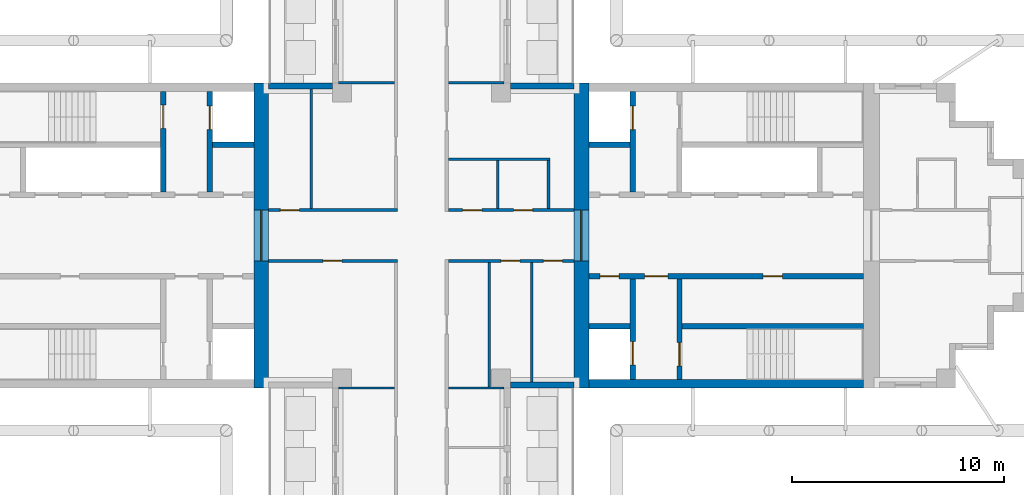
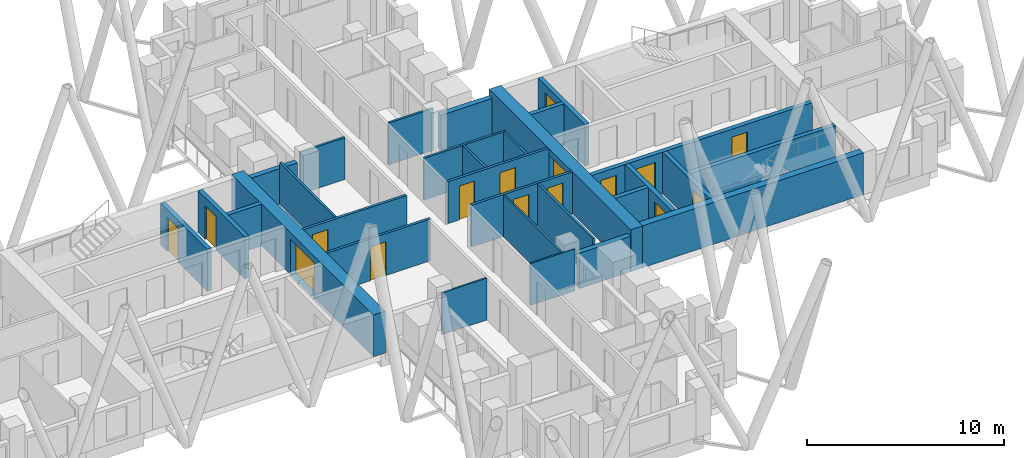
# One storey, part 6 of 12: 30 walls, 16 doors, 16 openings.
"""IFC4 building model written with IfcOpenShell, lengths in metres."""

from ifc_helpers import new_model, si_unit, direction, frame, frame_2d, origin, place, context, subcontext, project, spatial, rectangle, extrude, material, layer, layer_set, type_object, element, fill, save


model = new_model("IFC4")

# Units and contexts
model_context = context("Model", 3, precision=1e-05, world=origin(), true_north=direction((0.0, 1.0)))
body_context = subcontext(model_context, "Body", "Model", "MODEL_VIEW")
ifc_project = project(units=[si_unit("LENGTHUNIT", "METRE"), si_unit("AREAUNIT", "SQUARE_METRE"), si_unit("VOLUMEUNIT", "CUBIC_METRE"), si_unit("PLANEANGLEUNIT", "RADIAN"), si_unit("MASSUNIT", "GRAM", prefix="KILO")], contexts=[model_context])

# Site, building, storey
site_placement = place(None, origin())
site = spatial("IfcSite", under=ifc_project, at=site_placement, CompositionType="ELEMENT")
building_placement = place(site_placement, origin())
building = spatial("IfcBuilding", under=site, at=building_placement, Name="Fustian Cross Tower", CompositionType="ELEMENT")
storey_placement = place(building_placement, frame((0.0, 0.0, 188.699951171875)))
storey = spatial("IfcBuildingStorey", under=building, at=storey_placement, Name="L59", CompositionType="ELEMENT", Elevation=188.699951171875)

# Wall, opening, door
ifc_material_1 = material(Name="Plasterboard on steel stud", Category="steel")
ifc_layer_1 = layer(ifc_material_1, 0.14990234375)
ifc_layer_set_1 = layer_set([ifc_layer_1], Name="Plasterboard on steel stud")
wall_type_1 = type_object("IfcWallType", Name="COMPARTMENT WALL 150 EI 60", PredefinedType="PARTITIONING", material=ifc_layer_set_1)
wall_1_placement = place(storey_placement, frame((-7.199951171875, -1.199951171875, 0.0), z_axis=(0.0, 0.0, 1.0), x_axis=(1.0, 0.0, 0.0)))
wall_1 = element("IfcWall", 1, at=wall_1_placement, inside=storey, type_object=wall_type_1, Name="Partition 13", PredefinedType="PARTITIONING", context=body_context, shape_type="SweptSolid", body=[
    extrude(rectangle(XDim=6.074951171875, YDim=0.14990234375, at=frame_2d((3.03759765625, 0.0))), origin(), (0.0, 0.0, 1.0), 2.60009765625),
])
opening_1_placement = place(wall_1_placement, frame((2.550048828125, 0.0, 0.0)))
opening_1 = element("IfcOpeningElement", 2, at=opening_1_placement, cuts=wall_1, Name="Opening D27009", PredefinedType="OPENING", context=body_context, shape_type="SweptSolid", body=[
    extrude(rectangle(XDim=0.89990234375, YDim=2.10009765625, at=frame_2d((0.449951171875, 1.050048828125))), frame((0.0, 0.0849609375, 0.0), z_axis=(0.0, -1.0, 0.0), x_axis=(1.0, 0.0, 0.0)), (0.0, 0.0, 1.0), 0.169921875),
])
ifc_material_2 = material(Name="Timber fire door set", Category="wood")
door_type_1 = type_object("IfcDoorType", Name="FIRE SWING DOOR 900 FD30S", OperationType="SINGLE_SWING_LEFT", PredefinedType="DOOR", material=ifc_material_2)
door_1_placement = place(opening_1_placement, frame((0.89990234375, 0.0, 0.0), z_axis=(0.0, 0.0, 1.0), x_axis=(-1.0, 0.0, 0.0)))
door_1 = element("IfcDoor", 3, at=door_1_placement, inside=storey, type_object=door_type_1, Name="Door D27009", OperationType="SINGLE_SWING_RIGHT", OverallHeight=2.10009765625, OverallWidth=0.89990234375, PredefinedType="DOOR", context=body_context, shape_type="SweptSolid", body=[
    extrude(rectangle(XDim=0.89990234375, YDim=2.10009765625, at=frame_2d((0.449951171875, 1.050048828125))), frame((0.0, 0.02490234375, 0.0), z_axis=(0.0, -1.0, 0.0), x_axis=(1.0, 0.0, 0.0)), (0.0, 0.0, 1.0), 0.050048828125),
])
fill(opening_1, door_1)

wall_2_placement = place(storey_placement, frame((-7.199951171875, 1.199951171875, 0.0), z_axis=(0.0, 0.0, 1.0), x_axis=(1.0, 0.0, 0.0)))
wall_2 = element("IfcWall", 4, at=wall_2_placement, inside=storey, type_object=wall_type_1, Name="Partition 14", PredefinedType="PARTITIONING", context=body_context, shape_type="SweptSolid", body=[
    extrude(rectangle(XDim=6.074951171875, YDim=0.14990234375, at=frame_2d((3.03759765625, 0.0))), origin(), (0.0, 0.0, 1.0), 2.60009765625),
])
opening_2_placement = place(wall_2_placement, frame((0.550048828125, 0.0, 0.0)))
opening_2 = element("IfcOpeningElement", 5, at=opening_2_placement, cuts=wall_2, Name="Opening D27005", PredefinedType="OPENING", context=body_context, shape_type="SweptSolid", body=[
    extrude(rectangle(XDim=0.89990234375, YDim=2.10009765625, at=frame_2d((0.449951171875, 1.050048828125))), frame((0.0, 0.0849609375, 0.0), z_axis=(0.0, -1.0, 0.0), x_axis=(1.0, 0.0, 0.0)), (0.0, 0.0, 1.0), 0.169921875),
])
door_2_placement = place(opening_2_placement, origin())
door_2 = element("IfcDoor", 6, at=door_2_placement, inside=storey, type_object=door_type_1, Name="Door D27005", OperationType="SINGLE_SWING_LEFT", OverallHeight=2.10009765625, OverallWidth=0.89990234375, PredefinedType="DOOR", context=body_context, shape_type="SweptSolid", body=[
    extrude(rectangle(XDim=0.89990234375, YDim=2.10009765625, at=frame_2d((0.449951171875, 1.050048828125))), frame((0.0, 0.02490234375, 0.0), z_axis=(0.0, -1.0, 0.0), x_axis=(1.0, 0.0, 0.0)), (0.0, 0.0, 1.0), 0.050048828125),
])
fill(opening_2, door_2)

# Wall, openings, doors
wall_3_placement = place(storey_placement, frame((1.27490234375, -1.199951171875, 0.0), z_axis=(0.0, 0.0, 1.0), x_axis=(1.0, 0.0, 0.0)))
wall_3 = element("IfcWall", 7, at=wall_3_placement, inside=storey, type_object=wall_type_1, Name="Partition 38", PredefinedType="PARTITIONING", context=body_context, shape_type="SweptSolid", body=[
    extrude(rectangle(XDim=5.925048828125, YDim=0.14990234375, at=frame_2d((2.96240234375, 0.0))), origin(), (0.0, 0.0, 1.0), 2.60009765625),
])
opening_3_placement = place(wall_3_placement, frame((2.47509765625, 0.0, 0.0)))
opening_3 = element("IfcOpeningElement", 8, at=opening_3_placement, cuts=wall_3, Name="Opening D27007", PredefinedType="OPENING", context=body_context, shape_type="SweptSolid", body=[
    extrude(rectangle(XDim=0.89990234375, YDim=2.10009765625, at=frame_2d((0.449951171875, 1.050048828125))), frame((0.0, 0.0849609375, 0.0), z_axis=(0.0, -1.0, 0.0), x_axis=(1.0, 0.0, 0.0)), (0.0, 0.0, 1.0), 0.169921875),
])
opening_4_placement = place(wall_3_placement, frame((4.47509765625, 0.0, 0.0)))
opening_4 = element("IfcOpeningElement", 9, at=opening_4_placement, cuts=wall_3, Name="Opening D27008", PredefinedType="OPENING", context=body_context, shape_type="SweptSolid", body=[
    extrude(rectangle(XDim=0.89990234375, YDim=2.10009765625, at=frame_2d((0.449951171875, 1.050048828125))), frame((0.0, 0.0849609375, 0.0), z_axis=(0.0, -1.0, 0.0), x_axis=(1.0, 0.0, 0.0)), (0.0, 0.0, 1.0), 0.169921875),
])
door_3_placement = place(opening_3_placement, frame((0.89990234375, 0.0, 0.0), z_axis=(0.0, 0.0, 1.0), x_axis=(-1.0, 0.0, 0.0)))
door_3 = element("IfcDoor", 10, at=door_3_placement, inside=storey, type_object=door_type_1, Name="Door D27007", OperationType="SINGLE_SWING_RIGHT", OverallHeight=2.10009765625, OverallWidth=0.89990234375, PredefinedType="DOOR", context=body_context, shape_type="SweptSolid", body=[
    extrude(rectangle(XDim=0.89990234375, YDim=2.10009765625, at=frame_2d((0.449951171875, 1.050048828125))), frame((0.0, 0.02490234375, 0.0), z_axis=(0.0, -1.0, 0.0), x_axis=(1.0, 0.0, 0.0)), (0.0, 0.0, 1.0), 0.050048828125),
])
fill(opening_3, door_3)
door_4_placement = place(opening_4_placement, frame((0.89990234375, 0.0, 0.0), z_axis=(0.0, 0.0, 1.0), x_axis=(-1.0, 0.0, 0.0)))
door_4 = element("IfcDoor", 11, at=door_4_placement, inside=storey, type_object=door_type_1, Name="Door D27008", OperationType="SINGLE_SWING_RIGHT", OverallHeight=2.10009765625, OverallWidth=0.89990234375, PredefinedType="DOOR", context=body_context, shape_type="SweptSolid", body=[
    extrude(rectangle(XDim=0.89990234375, YDim=2.10009765625, at=frame_2d((0.449951171875, 1.050048828125))), frame((0.0, 0.02490234375, 0.0), z_axis=(0.0, -1.0, 0.0), x_axis=(1.0, 0.0, 0.0)), (0.0, 0.0, 1.0), 0.050048828125),
])
fill(opening_4, door_4)

wall_4_placement = place(storey_placement, frame((1.27490234375, 1.199951171875, 0.0), z_axis=(0.0, 0.0, 1.0), x_axis=(1.0, 0.0, 0.0)))
wall_4 = element("IfcWall", 12, at=wall_4_placement, inside=storey, type_object=wall_type_1, Name="Partition 40", PredefinedType="PARTITIONING", context=body_context, shape_type="SweptSolid", body=[
    extrude(rectangle(XDim=5.925048828125, YDim=0.14990234375, at=frame_2d((2.96240234375, 0.0))), origin(), (0.0, 0.0, 1.0), 2.60009765625),
])
opening_5_placement = place(wall_4_placement, frame((0.675048828125, 0.0, 0.0)))
opening_5 = element("IfcOpeningElement", 13, at=opening_5_placement, cuts=wall_4, Name="Opening D27001", PredefinedType="OPENING", context=body_context, shape_type="SweptSolid", body=[
    extrude(rectangle(XDim=0.89990234375, YDim=2.10009765625, at=frame_2d((0.449951171875, 1.050048828125))), frame((0.0, 0.0849609375, 0.0), z_axis=(0.0, -1.0, 0.0), x_axis=(1.0, 0.0, 0.0)), (0.0, 0.0, 1.0), 0.169921875),
])
opening_6_placement = place(wall_4_placement, frame((3.074951171875, 0.0, 0.0)))
opening_6 = element("IfcOpeningElement", 14, at=opening_6_placement, cuts=wall_4, Name="Opening D27002", PredefinedType="OPENING", context=body_context, shape_type="SweptSolid", body=[
    extrude(rectangle(XDim=0.89990234375, YDim=2.10009765625, at=frame_2d((0.449951171875, 1.050048828125))), frame((0.0, 0.0849609375, 0.0), z_axis=(0.0, -1.0, 0.0), x_axis=(1.0, 0.0, 0.0)), (0.0, 0.0, 1.0), 0.169921875),
])
door_5_placement = place(opening_5_placement, origin())
door_5 = element("IfcDoor", 15, at=door_5_placement, inside=storey, type_object=door_type_1, Name="Door D27001", OperationType="SINGLE_SWING_LEFT", OverallHeight=2.10009765625, OverallWidth=0.89990234375, PredefinedType="DOOR", context=body_context, shape_type="SweptSolid", body=[
    extrude(rectangle(XDim=0.89990234375, YDim=2.10009765625, at=frame_2d((0.449951171875, 1.050048828125))), frame((0.0, 0.02490234375, 0.0), z_axis=(0.0, -1.0, 0.0), x_axis=(1.0, 0.0, 0.0)), (0.0, 0.0, 1.0), 0.050048828125),
])
fill(opening_5, door_5)
door_6_placement = place(opening_6_placement, origin())
door_6 = element("IfcDoor", 16, at=door_6_placement, inside=storey, type_object=door_type_1, Name="Door D27002", OperationType="SINGLE_SWING_LEFT", OverallHeight=2.10009765625, OverallWidth=0.89990234375, PredefinedType="DOOR", context=body_context, shape_type="SweptSolid", body=[
    extrude(rectangle(XDim=0.89990234375, YDim=2.10009765625, at=frame_2d((0.449951171875, 1.050048828125))), frame((0.0, 0.02490234375, 0.0), z_axis=(0.0, -1.0, 0.0), x_axis=(1.0, 0.0, 0.0)), (0.0, 0.0, 1.0), 0.050048828125),
])
fill(opening_6, door_6)

# Wall, opening, door
ifc_material_3 = material(Name="Concrete C50/60", Category="concrete")
ifc_layer_2 = layer(ifc_material_3, 0.699951171875)
ifc_layer_set_2 = layer_set([ifc_layer_2], Name="Concrete C50/60")
wall_type_2 = type_object("IfcWallType", Name="CORE END WALL 700 C50/60", PredefinedType="SHEAR", material=ifc_layer_set_2)
wall_5_placement = place(storey_placement, frame((7.550048828125, -7.199951171875, 0.0), z_axis=(0.0, 0.0, 1.0), x_axis=(0.0, 1.0, 0.0)))
wall_5 = element("IfcWall", 17, at=wall_5_placement, inside=storey, type_object=wall_type_2, Name="Core end wall", PredefinedType="SHEAR", context=body_context, shape_type="SweptSolid", body=[
    extrude(rectangle(XDim=14.39990234375, YDim=0.699951171875, at=frame_2d((7.199951171875, 0.0))), origin(), (0.0, 0.0, 1.0), 2.60009765625),
])
opening_7_placement = place(wall_5_placement, frame((6.0, 0.0, 0.0)))
opening_7 = element("IfcOpeningElement", 18, at=opening_7_placement, cuts=wall_5, Name="Opening CD-24-12", PredefinedType="OPENING", context=body_context, shape_type="SweptSolid", body=[
    extrude(rectangle(XDim=2.39990234375, YDim=2.199951171875, at=frame_2d((1.199951171875, 1.10009765625))), frame((0.0, 0.35986328125, 0.0), z_axis=(0.0, -1.0, 0.0), x_axis=(1.0, 0.0, 0.0)), (0.0, 0.0, 1.0), 0.719970703125),
])
ifc_material_4 = material(Name="Steel", Category="steel")
door_type_2 = type_object("IfcDoorType", Name="FIRE DOOR FD30S DOUBLE 2400X2200", OperationType="DOUBLE_DOOR_DOUBLE_SWING", PredefinedType="DOOR", material=ifc_material_4)
door_7_placement = place(opening_7_placement, frame((2.39990234375, 0.0, 0.0), z_axis=(0.0, 0.0, 1.0), x_axis=(-1.0, 0.0, 0.0)))
door_7 = element("IfcDoor", 19, at=door_7_placement, inside=storey, type_object=door_type_2, Name="Core door CD-24-12", OperationType="DOUBLE_DOOR_DOUBLE_SWING", OverallHeight=2.199951171875, OverallWidth=2.39990234375, PredefinedType="DOOR", context=body_context, shape_type="SweptSolid", body=[
    extrude(rectangle(XDim=2.39990234375, YDim=2.199951171875, at=frame_2d((1.199951171875, 1.10009765625))), frame((0.0, 0.02490234375, 0.0), z_axis=(0.0, -1.0, 0.0), x_axis=(1.0, 0.0, 0.0)), (0.0, 0.0, 1.0), 0.050048828125),
])
fill(opening_7, door_7)

wall_6_placement = place(storey_placement, frame((-7.550048828125, -7.199951171875, 0.0), z_axis=(0.0, 0.0, 1.0), x_axis=(0.0, 1.0, 0.0)))
wall_6 = element("IfcWall", 20, at=wall_6_placement, inside=storey, type_object=wall_type_2, Name="Core end wall", PredefinedType="SHEAR", context=body_context, shape_type="SweptSolid", body=[
    extrude(rectangle(XDim=14.39990234375, YDim=0.699951171875, at=frame_2d((7.199951171875, 0.0))), origin(), (0.0, 0.0, 1.0), 2.60009765625),
])
opening_8_placement = place(wall_6_placement, frame((6.0, 0.0, 0.0)))
opening_8 = element("IfcOpeningElement", 21, at=opening_8_placement, cuts=wall_6, Name="Opening CD-24-27", PredefinedType="OPENING", context=body_context, shape_type="SweptSolid", body=[
    extrude(rectangle(XDim=2.39990234375, YDim=2.199951171875, at=frame_2d((1.199951171875, 1.10009765625))), frame((0.0, 0.35986328125, 0.0), z_axis=(0.0, -1.0, 0.0), x_axis=(1.0, 0.0, 0.0)), (0.0, 0.0, 1.0), 0.719970703125),
])
door_8_placement = place(opening_8_placement, origin())
door_8 = element("IfcDoor", 22, at=door_8_placement, inside=storey, type_object=door_type_2, Name="Core door CD-24-27", OperationType="DOUBLE_DOOR_DOUBLE_SWING", OverallHeight=2.199951171875, OverallWidth=2.39990234375, PredefinedType="DOOR", context=body_context, shape_type="SweptSolid", body=[
    extrude(rectangle(XDim=2.39990234375, YDim=2.199951171875, at=frame_2d((1.199951171875, 1.10009765625))), frame((0.0, 0.02490234375, 0.0), z_axis=(0.0, -1.0, 0.0), x_axis=(1.0, 0.0, 0.0)), (0.0, 0.0, 1.0), 0.050048828125),
])
fill(opening_8, door_8)

# Wall
ifc_material_5 = material(Name="Concrete C50/60", Category="concrete")
ifc_layer_3 = layer(ifc_material_5, 0.39990234375)
ifc_layer_set_3 = layer_set([ifc_layer_3], Name="Concrete C50/60")
wall_type_3 = type_object("IfcWallType", Name="CORE FACADE WALL 400 C50/60", PredefinedType="SHEAR", material=ifc_layer_set_3)
wall_7_placement = place(storey_placement, frame((7.89990234375, -7.0, 0.0), z_axis=(0.0, 0.0, 1.0), x_axis=(1.0, 0.0, 0.0)))
element("IfcWall", 23, at=wall_7_placement, inside=storey, type_object=wall_type_3, Name="Core facade wall", PredefinedType="SHEAR", context=body_context, shape_type="SweptSolid", body=[
    extrude(rectangle(XDim=12.9501953125, YDim=0.39990234375, at=frame_2d((6.47509765625, 0.0))), origin(), (0.0, 0.0, 1.0), 2.60009765625),
])

# Wall, openings, doors
ifc_material_6 = material(Name="Concrete C50/60", Category="concrete")
ifc_layer_4 = layer(ifc_material_6, 0.25)
ifc_layer_set_4 = layer_set([ifc_layer_4], Name="Concrete C50/60")
wall_type_4 = type_object("IfcWallType", Name="CORE LOBBY WALL 250 C50/60", PredefinedType="SHEAR", material=ifc_layer_set_4)
wall_8_placement = place(storey_placement, frame((7.89990234375, -1.925048828125, 0.0), z_axis=(0.0, 0.0, 1.0), x_axis=(1.0, 0.0, 0.0)))
wall_8 = element("IfcWall", 24, at=wall_8_placement, inside=storey, type_object=wall_type_4, Name="Core lobby wall", PredefinedType="SHEAR", context=body_context, shape_type="SweptSolid", body=[
    extrude(rectangle(XDim=12.9501953125, YDim=0.25, at=frame_2d((6.47509765625, 0.0))), origin(), (0.0, 0.0, 1.0), 2.60009765625),
])
opening_9_placement = place(wall_8_placement, frame((0.52490234375, 0.0, 0.0)))
opening_9 = element("IfcOpeningElement", 25, at=opening_9_placement, cuts=wall_8, Name="Opening CD-24-09", PredefinedType="OPENING", context=body_context, shape_type="SweptSolid", body=[
    extrude(rectangle(XDim=0.89990234375, YDim=2.10009765625, at=frame_2d((0.449951171875, 1.050048828125))), frame((0.0, 0.135009765625, 0.0), z_axis=(0.0, -1.0, 0.0), x_axis=(1.0, 0.0, 0.0)), (0.0, 0.0, 1.0), 0.27001953125),
])
opening_10_placement = place(wall_8_placement, frame((2.625, 0.0, 0.0)))
opening_10 = element("IfcOpeningElement", 26, at=opening_10_placement, cuts=wall_8, Name="Opening CD-24-11", PredefinedType="OPENING", context=body_context, shape_type="SweptSolid", body=[
    extrude(rectangle(XDim=1.10009765625, YDim=2.10009765625, at=frame_2d((0.550048828125, 1.050048828125))), frame((0.0, 0.135009765625, 0.0), z_axis=(0.0, -1.0, 0.0), x_axis=(1.0, 0.0, 0.0)), (0.0, 0.0, 1.0), 0.27001953125),
])
opening_11_placement = place(wall_8_placement, frame((8.22509765625, 0.0, 0.0)))
opening_11 = element("IfcOpeningElement", 27, at=opening_11_placement, cuts=wall_8, Name="Opening CD-24-15", PredefinedType="OPENING", context=body_context, shape_type="SweptSolid", body=[
    extrude(rectangle(XDim=0.89990234375, YDim=2.10009765625, at=frame_2d((0.449951171875, 1.050048828125))), frame((0.0, 0.135009765625, 0.0), z_axis=(0.0, -1.0, 0.0), x_axis=(1.0, 0.0, 0.0)), (0.0, 0.0, 1.0), 0.27001953125),
])
ifc_material_7 = material(Name="Steel", Category="steel")
door_type_3 = type_object("IfcDoorType", Name="FIRE DOOR FD30S 1100X2100", OperationType="SINGLE_SWING_LEFT", PredefinedType="DOOR", material=ifc_material_7)
door_9_placement = place(opening_10_placement, frame((1.10009765625, 0.0, 0.0), z_axis=(0.0, 0.0, 1.0), x_axis=(-1.0, 0.0, 0.0)))
door_9 = element("IfcDoor", 28, at=door_9_placement, inside=storey, type_object=door_type_3, Name="Core door CD-24-11", OperationType="SINGLE_SWING_RIGHT", OverallHeight=2.10009765625, OverallWidth=1.10009765625, PredefinedType="DOOR", context=body_context, shape_type="SweptSolid", body=[
    extrude(rectangle(XDim=1.10009765625, YDim=2.10009765625, at=frame_2d((0.550048828125, 1.050048828125))), frame((0.0, 0.02490234375, 0.0), z_axis=(0.0, -1.0, 0.0), x_axis=(1.0, 0.0, 0.0)), (0.0, 0.0, 1.0), 0.050048828125),
])
fill(opening_10, door_9)
ifc_material_8 = material(Name="Steel", Category="steel")
door_type_4 = type_object("IfcDoorType", Name="FIRE DOOR FD30S 900X2100", OperationType="SINGLE_SWING_LEFT", PredefinedType="DOOR", material=ifc_material_8)
door_10_placement = place(opening_9_placement, frame((0.89990234375, 0.0, 0.0), z_axis=(0.0, 0.0, 1.0), x_axis=(-1.0, 0.0, 0.0)))
door_10 = element("IfcDoor", 29, at=door_10_placement, inside=storey, type_object=door_type_4, Name="Core door CD-24-09", OperationType="SINGLE_SWING_RIGHT", OverallHeight=2.10009765625, OverallWidth=0.89990234375, PredefinedType="DOOR", context=body_context, shape_type="SweptSolid", body=[
    extrude(rectangle(XDim=0.89990234375, YDim=2.10009765625, at=frame_2d((0.449951171875, 1.050048828125))), frame((0.0, 0.02490234375, 0.0), z_axis=(0.0, -1.0, 0.0), x_axis=(1.0, 0.0, 0.0)), (0.0, 0.0, 1.0), 0.050048828125),
])
fill(opening_9, door_10)
door_11_placement = place(opening_11_placement, frame((0.89990234375, 0.0, 0.0), z_axis=(0.0, 0.0, 1.0), x_axis=(-1.0, 0.0, 0.0)))
door_11 = element("IfcDoor", 30, at=door_11_placement, inside=storey, type_object=door_type_4, Name="Core door CD-24-15", OperationType="SINGLE_SWING_LEFT", OverallHeight=2.10009765625, OverallWidth=0.89990234375, PredefinedType="DOOR", context=body_context, shape_type="SweptSolid", body=[
    extrude(rectangle(XDim=0.89990234375, YDim=2.10009765625, at=frame_2d((0.449951171875, 1.050048828125))), frame((0.0, 0.02490234375, 0.0), z_axis=(0.0, -1.0, 0.0), x_axis=(1.0, 0.0, 0.0)), (0.0, 0.0, 1.0), 0.050048828125),
])
fill(opening_11, door_11)

# Wall
ifc_material_9 = material(Name="Concrete C50/60", Category="concrete")
ifc_layer_5 = layer(ifc_material_9, 0.25)
ifc_layer_set_5 = layer_set([ifc_layer_5], Name="Concrete C50/60")
wall_type_5 = type_object("IfcWallType", Name="CORE SHAFT WALL 250 C50/60", PredefinedType="SHEAR", material=ifc_layer_set_5)
wall_9_placement = place(storey_placement, frame((7.89990234375, 4.27490234375, 0.0), z_axis=(0.0, 0.0, 1.0), x_axis=(1.0, 0.0, 0.0)))
element("IfcWall", 31, at=wall_9_placement, inside=storey, type_object=wall_type_5, Name="Core shaft wall", PredefinedType="SHEAR", context=body_context, shape_type="SweptSolid", body=[
    extrude(rectangle(XDim=1.9501953125, YDim=0.25, at=frame_2d((0.97509765625, 0.0))), origin(), (0.0, 0.0, 1.0), 2.60009765625),
])

# Wall, opening, door
wall_10_placement = place(storey_placement, frame((9.97509765625, 2.050048828125, 0.0), z_axis=(0.0, 0.0, 1.0), x_axis=(0.0, 1.0, 0.0)))
wall_10 = element("IfcWall", 32, at=wall_10_placement, inside=storey, type_object=wall_type_5, Name="Core shaft wall", PredefinedType="SHEAR", context=body_context, shape_type="SweptSolid", body=[
    extrude(rectangle(XDim=4.75, YDim=0.25, at=frame_2d((2.375, 0.0))), origin(), (0.0, 0.0, 1.0), 2.60009765625),
])
opening_12_placement = place(wall_10_placement, frame((2.949951171875, 0.0, 0.0)))
opening_12 = element("IfcOpeningElement", 33, at=opening_12_placement, cuts=wall_10, Name="Opening LD", PredefinedType="OPENING", context=body_context, shape_type="SweptSolid", body=[
    extrude(rectangle(XDim=1.10009765625, YDim=2.10009765625, at=frame_2d((0.550048828125, 1.050048828125))), frame((0.0, 0.135009765625, 0.0), z_axis=(0.0, -1.0, 0.0), x_axis=(1.0, 0.0, 0.0)), (0.0, 0.0, 1.0), 0.27001953125),
])
ifc_material_10 = material(Name="Stainless steel", Category="steel")
door_type_5 = type_object("IfcDoorType", Name="LIFT LANDING DOOR 1100X2100", OperationType="SLIDING_TO_LEFT", PredefinedType="DOOR", material=ifc_material_10)
door_12_placement = place(opening_12_placement, origin())
door_12 = element("IfcDoor", 34, at=door_12_placement, inside=storey, type_object=door_type_5, Name="Landing door FL1", OperationType="SLIDING_TO_LEFT", OverallHeight=2.10009765625, OverallWidth=1.10009765625, PredefinedType="DOOR", context=body_context, shape_type="SweptSolid", body=[
    extrude(rectangle(XDim=1.10009765625, YDim=2.10009765625, at=frame_2d((0.550048828125, 1.050048828125))), frame((0.0, 0.02490234375, 0.0), z_axis=(0.0, -1.0, 0.0), x_axis=(1.0, 0.0, 0.0)), (0.0, 0.0, 1.0), 0.050048828125),
])
fill(opening_12, door_12)

# Walls
wall_11_placement = place(storey_placement, frame((7.89990234375, -4.27490234375, 0.0), z_axis=(0.0, 0.0, 1.0), x_axis=(1.0, 0.0, 0.0)))
element("IfcWall", 35, at=wall_11_placement, inside=storey, type_object=wall_type_5, Name="Core shaft wall", PredefinedType="SHEAR", context=body_context, shape_type="SweptSolid", body=[
    extrude(rectangle(XDim=1.9501953125, YDim=0.25, at=frame_2d((0.97509765625, 0.0))), origin(), (0.0, 0.0, 1.0), 2.60009765625),
])
wall_12_placement = place(storey_placement, frame((12.300048828125, -4.27490234375, 0.0), z_axis=(0.0, 0.0, 1.0), x_axis=(1.0, 0.0, 0.0)))
element("IfcWall", 36, at=wall_12_placement, inside=storey, type_object=wall_type_5, Name="Core shaft wall", PredefinedType="SHEAR", context=body_context, shape_type="SweptSolid", body=[
    extrude(rectangle(XDim=8.550048828125, YDim=0.25, at=frame_2d((4.27490234375, 0.0))), origin(), (0.0, 0.0, 1.0), 2.60009765625),
])

# Wall, opening, door
wall_13_placement = place(storey_placement, frame((9.97509765625, -2.050048828125, 0.0), z_axis=(0.0, 0.0, 1.0), x_axis=(0.0, -1.0, 0.0)))
wall_13 = element("IfcWall", 37, at=wall_13_placement, inside=storey, type_object=wall_type_5, Name="Core shaft wall", PredefinedType="SHEAR", context=body_context, shape_type="SweptSolid", body=[
    extrude(rectangle(XDim=4.75, YDim=0.25, at=frame_2d((2.375, 0.0))), origin(), (0.0, 0.0, 1.0), 2.60009765625),
])
opening_13_placement = place(wall_13_placement, frame((2.949951171875, 0.0, 0.0)))
opening_13 = element("IfcOpeningElement", 38, at=opening_13_placement, cuts=wall_13, Name="Opening LD", PredefinedType="OPENING", context=body_context, shape_type="SweptSolid", body=[
    extrude(rectangle(XDim=1.10009765625, YDim=2.10009765625, at=frame_2d((0.550048828125, 1.050048828125))), frame((0.0, 0.135009765625, 0.0), z_axis=(0.0, -1.0, 0.0), x_axis=(1.0, 0.0, 0.0)), (0.0, 0.0, 1.0), 0.27001953125),
])
door_13_placement = place(opening_13_placement, origin())
door_13 = element("IfcDoor", 39, at=door_13_placement, inside=storey, type_object=door_type_5, Name="Landing door SV1", OperationType="SLIDING_TO_LEFT", OverallHeight=2.10009765625, OverallWidth=1.10009765625, PredefinedType="DOOR", context=body_context, shape_type="SweptSolid", body=[
    extrude(rectangle(XDim=1.10009765625, YDim=2.10009765625, at=frame_2d((0.550048828125, 1.050048828125))), frame((0.0, 0.02490234375, 0.0), z_axis=(0.0, -1.0, 0.0), x_axis=(1.0, 0.0, 0.0)), (0.0, 0.0, 1.0), 0.050048828125),
])
fill(opening_13, door_13)

wall_14_placement = place(storey_placement, frame((12.175048828125, -2.050048828125, 0.0), z_axis=(0.0, 0.0, 1.0), x_axis=(0.0, -1.0, 0.0)))
wall_14 = element("IfcWall", 40, at=wall_14_placement, inside=storey, type_object=wall_type_5, Name="Core shaft wall", PredefinedType="SHEAR", context=body_context, shape_type="SweptSolid", body=[
    extrude(rectangle(XDim=4.75, YDim=0.25, at=frame_2d((2.375, 0.0))), origin(), (0.0, 0.0, 1.0), 2.60009765625),
])
opening_14_placement = place(wall_14_placement, frame((3.0, 0.0, 0.0)))
opening_14 = element("IfcOpeningElement", 41, at=opening_14_placement, cuts=wall_14, Name="Opening CD-24-07", PredefinedType="OPENING", context=body_context, shape_type="SweptSolid", body=[
    extrude(rectangle(XDim=1.10009765625, YDim=2.10009765625, at=frame_2d((0.550048828125, 1.050048828125))), frame((0.0, 0.135009765625, 0.0), z_axis=(0.0, -1.0, 0.0), x_axis=(1.0, 0.0, 0.0)), (0.0, 0.0, 1.0), 0.27001953125),
])
ifc_material_11 = material(Name="Steel", Category="steel")
door_type_6 = type_object("IfcDoorType", Name="FIRE DOOR FD60S 1100X2100", OperationType="SINGLE_SWING_LEFT", PredefinedType="DOOR", material=ifc_material_11)
door_14_placement = place(opening_14_placement, origin())
door_14 = element("IfcDoor", 42, at=door_14_placement, inside=storey, type_object=door_type_6, Name="Core door CD-24-07", OperationType="SINGLE_SWING_LEFT", OverallHeight=2.10009765625, OverallWidth=1.10009765625, PredefinedType="DOOR", context=body_context, shape_type="SweptSolid", body=[
    extrude(rectangle(XDim=1.10009765625, YDim=2.10009765625, at=frame_2d((0.550048828125, 1.050048828125))), frame((0.0, 0.02490234375, 0.0), z_axis=(0.0, -1.0, 0.0), x_axis=(1.0, 0.0, 0.0)), (0.0, 0.0, 1.0), 0.050048828125),
])
fill(opening_14, door_14)

# Wall
wall_15_placement = place(storey_placement, frame((-7.89990234375, 4.27490234375, 0.0), z_axis=(0.0, 0.0, 1.0), x_axis=(-1.0, 0.0, 0.0)))
element("IfcWall", 43, at=wall_15_placement, inside=storey, type_object=wall_type_5, Name="Core shaft wall", PredefinedType="SHEAR", context=body_context, shape_type="SweptSolid", body=[
    extrude(rectangle(XDim=1.9501953125, YDim=0.25, at=frame_2d((0.97509765625, 0.0))), origin(), (0.0, 0.0, 1.0), 2.60009765625),
])

# Wall, opening, door
wall_16_placement = place(storey_placement, frame((-9.97509765625, 2.050048828125, 0.0), z_axis=(0.0, 0.0, 1.0), x_axis=(0.0, 1.0, 0.0)))
wall_16 = element("IfcWall", 44, at=wall_16_placement, inside=storey, type_object=wall_type_5, Name="Core shaft wall", PredefinedType="SHEAR", context=body_context, shape_type="SweptSolid", body=[
    extrude(rectangle(XDim=4.75, YDim=0.25, at=frame_2d((2.375, 0.0))), origin(), (0.0, 0.0, 1.0), 2.60009765625),
])
opening_15_placement = place(wall_16_placement, frame((2.949951171875, 0.0, 0.0)))
opening_15 = element("IfcOpeningElement", 45, at=opening_15_placement, cuts=wall_16, Name="Opening LD", PredefinedType="OPENING", context=body_context, shape_type="SweptSolid", body=[
    extrude(rectangle(XDim=1.10009765625, YDim=2.10009765625, at=frame_2d((0.550048828125, 1.050048828125))), frame((0.0, 0.135009765625, 0.0), z_axis=(0.0, -1.0, 0.0), x_axis=(1.0, 0.0, 0.0)), (0.0, 0.0, 1.0), 0.27001953125),
])
door_15_placement = place(opening_15_placement, origin())
door_15 = element("IfcDoor", 46, at=door_15_placement, inside=storey, type_object=door_type_5, Name="Landing door FL1W", OperationType="SLIDING_TO_LEFT", OverallHeight=2.10009765625, OverallWidth=1.10009765625, PredefinedType="DOOR", context=body_context, shape_type="SweptSolid", body=[
    extrude(rectangle(XDim=1.10009765625, YDim=2.10009765625, at=frame_2d((0.550048828125, 1.050048828125))), frame((0.0, 0.02490234375, 0.0), z_axis=(0.0, -1.0, 0.0), x_axis=(1.0, 0.0, 0.0)), (0.0, 0.0, 1.0), 0.050048828125),
])
fill(opening_15, door_15)

wall_17_placement = place(storey_placement, frame((-12.175048828125, 2.050048828125, 0.0), z_axis=(0.0, 0.0, 1.0), x_axis=(0.0, 1.0, 0.0)))
wall_17 = element("IfcWall", 47, at=wall_17_placement, inside=storey, type_object=wall_type_5, Name="Core shaft wall", PredefinedType="SHEAR", context=body_context, shape_type="SweptSolid", body=[
    extrude(rectangle(XDim=4.75, YDim=0.25, at=frame_2d((2.375, 0.0))), origin(), (0.0, 0.0, 1.0), 2.60009765625),
])
opening_16_placement = place(wall_17_placement, frame((3.0, 0.0, 0.0)))
opening_16 = element("IfcOpeningElement", 48, at=opening_16_placement, cuts=wall_17, Name="Opening CD-24-21", PredefinedType="OPENING", context=body_context, shape_type="SweptSolid", body=[
    extrude(rectangle(XDim=1.10009765625, YDim=2.10009765625, at=frame_2d((0.550048828125, 1.050048828125))), frame((0.0, 0.135009765625, 0.0), z_axis=(0.0, -1.0, 0.0), x_axis=(1.0, 0.0, 0.0)), (0.0, 0.0, 1.0), 0.27001953125),
])
door_16_placement = place(opening_16_placement, origin())
door_16 = element("IfcDoor", 49, at=door_16_placement, inside=storey, type_object=door_type_6, Name="Core door CD-24-21", OperationType="SINGLE_SWING_LEFT", OverallHeight=2.10009765625, OverallWidth=1.10009765625, PredefinedType="DOOR", context=body_context, shape_type="SweptSolid", body=[
    extrude(rectangle(XDim=1.10009765625, YDim=2.10009765625, at=frame_2d((0.550048828125, 1.050048828125))), frame((0.0, 0.02490234375, 0.0), z_axis=(0.0, -1.0, 0.0), x_axis=(1.0, 0.0, 0.0)), (0.0, 0.0, 1.0), 0.050048828125),
])
fill(opening_16, door_16)

# Walls
ifc_material_12 = material(Name="Plasterboard on steel stud", Category="steel")
ifc_layer_6 = layer(ifc_material_12, 0.10009765625)
ifc_layer_set_6 = layer_set([ifc_layer_6], Name="Plasterboard on steel stud")
wall_type_6 = type_object("IfcWallType", Name="PARTITION 100 STUD", PredefinedType="PARTITIONING", material=ifc_layer_set_6)
for number, where, z_axis, x_axis, name in (
    (50, (-3.89990234375, -7.199951171875, 0.0), (0.0, 0.0, 1.0), (1.0, 0.0, 0.0), "Partition 20"),
    (51, (1.27490234375, -7.199951171875, 0.0), (0.0, 0.0, 1.0), (1.0, 0.0, 0.0), "Partition 37"),
):
    element("IfcWall", number, at=place(storey_placement, frame(where, z_axis=z_axis, x_axis=x_axis)), inside=storey, type_object=wall_type_6, Name=name, PredefinedType="PARTITIONING", context=body_context, shape_type="SweptSolid", body=[
        extrude(rectangle(XDim=2.625, YDim=0.10009765625, at=frame_2d((1.3125, 0.0))), origin(), (0.0, 0.0, 1.0), 2.60009765625),
    ])
wall_18_placement = place(storey_placement, frame((3.199951171875, -7.14990234375, 0.0), z_axis=(0.0, 0.0, 1.0), x_axis=(0.0, 1.0, 0.0)))
element("IfcWall", 52, at=wall_18_placement, inside=storey, type_object=wall_type_6, Name="Partition 49", PredefinedType="PARTITIONING", context=body_context, shape_type="SweptSolid", body=[
    extrude(rectangle(XDim=5.875, YDim=0.10009765625, at=frame_2d((2.9375, 0.0))), origin(), (0.0, 0.0, 1.0), 2.60009765625),
])
ifc_material_13 = material(Name="Plasterboard on steel stud", Category="steel")
ifc_layer_7 = layer(ifc_material_13, 0.125)
ifc_layer_set_7 = layer_set([ifc_layer_7], Name="Plasterboard on steel stud")
wall_type_7 = type_object("IfcWallType", Name="WET WALL 125 STUD", PredefinedType="PARTITIONING", material=ifc_layer_set_7)
wall_19_placement = place(storey_placement, frame((-5.199951171875, 1.27490234375, 0.0), z_axis=(0.0, 0.0, 1.0), x_axis=(0.0, 1.0, 0.0)))
element("IfcWall", 53, at=wall_19_placement, inside=storey, type_object=wall_type_7, Name="Partition 16", PredefinedType="PARTITIONING", context=body_context, shape_type="SweptSolid", body=[
    extrude(rectangle(XDim=5.625, YDim=0.125, at=frame_2d((2.8125, 0.0))), origin(), (0.0, 0.0, 1.0), 2.60009765625),
])
wall_20_placement = place(storey_placement, frame((-3.89990234375, 7.199951171875, 0.0), z_axis=(0.0, 0.0, 1.0), x_axis=(1.0, 0.0, 0.0)))
element("IfcWall", 54, at=wall_20_placement, inside=storey, type_object=wall_type_7, Name="Partition 21", PredefinedType="PARTITIONING", context=body_context, shape_type="SweptSolid", body=[
    extrude(rectangle(XDim=2.625, YDim=0.125, at=frame_2d((1.3125, 0.0))), origin(), (0.0, 0.0, 1.0), 2.60009765625),
])
wall_21_placement = place(storey_placement, frame((1.27490234375, 3.60009765625, 0.0), z_axis=(0.0, 0.0, 1.0), x_axis=(1.0, 0.0, 0.0)))
element("IfcWall", 55, at=wall_21_placement, inside=storey, type_object=wall_type_7, Name="Partition 41", PredefinedType="PARTITIONING", context=body_context, shape_type="SweptSolid", body=[
    extrude(rectangle(XDim=4.78759765625, YDim=0.125, at=frame_2d((2.393798828125, 0.0))), origin(), (0.0, 0.0, 1.0), 2.60009765625),
])
wall_22_placement = place(storey_placement, frame((1.27490234375, 7.199951171875, 0.0), z_axis=(0.0, 0.0, 1.0), x_axis=(1.0, 0.0, 0.0)))
element("IfcWall", 56, at=wall_22_placement, inside=storey, type_object=wall_type_7, Name="Partition 42", PredefinedType="PARTITIONING", context=body_context, shape_type="SweptSolid", body=[
    extrude(rectangle(XDim=2.625, YDim=0.125, at=frame_2d((1.3125, 0.0))), origin(), (0.0, 0.0, 1.0), 2.60009765625),
])
wall_23_placement = place(storey_placement, frame((3.60009765625, 1.27490234375, 0.0), z_axis=(0.0, 0.0, 1.0), x_axis=(0.0, 1.0, 0.0)))
element("IfcWall", 57, at=wall_23_placement, inside=storey, type_object=wall_type_7, Name="Partition 51", PredefinedType="PARTITIONING", context=body_context, shape_type="SweptSolid", body=[
    extrude(rectangle(XDim=2.2626953125, YDim=0.125, at=frame_2d((1.13134765625, 0.0))), origin(), (0.0, 0.0, 1.0), 2.60009765625),
])
wall_24_placement = place(storey_placement, frame((5.199951171875, -6.89990234375, 0.0), z_axis=(0.0, 0.0, 1.0), x_axis=(0.0, 1.0, 0.0)))
element("IfcWall", 58, at=wall_24_placement, inside=storey, type_object=wall_type_7, Name="Partition 52", PredefinedType="PARTITIONING", context=body_context, shape_type="SweptSolid", body=[
    extrude(rectangle(XDim=5.625, YDim=0.125, at=frame_2d((2.8125, 0.0))), origin(), (0.0, 0.0, 1.0), 2.60009765625),
])
wall_25_placement = place(storey_placement, frame((6.0, 1.27490234375, 0.0), z_axis=(0.0, 0.0, 1.0), x_axis=(0.0, 1.0, 0.0)))
element("IfcWall", 59, at=wall_25_placement, inside=storey, type_object=wall_type_7, Name="Partition 53", PredefinedType="PARTITIONING", context=body_context, shape_type="SweptSolid", body=[
    extrude(rectangle(XDim=2.2626953125, YDim=0.125, at=frame_2d((1.13134765625, 0.0))), origin(), (0.0, 0.0, 1.0), 2.60009765625),
])
ifc_material_14 = material(Name="Dark aluminium cladding on insulated backing wall", Category="aluminium")
ifc_layer_8 = layer(ifc_material_14, 0.300048828125)
ifc_layer_set_8 = layer_set([ifc_layer_8], Name="Dark aluminium cladding on insulated backing wall")
wall_type_8 = type_object("IfcWallType", Name="XW1 EXTERNAL WALL 300", PredefinedType="SOLIDWALL", material=ifc_layer_set_8)
for number, where, z_axis, x_axis, name in (
    (60, (7.199951171875, 7.050048828125, 0.0), (0.0, 0.0, 1.0), (-1.0, 0.0, 0.0), "External wall"),
    (61, (-4.199951171875, 7.050048828125, 0.0), (0.0, 0.0, 1.0), (-1.0, 0.0, 0.0), "External wall"),
    (62, (4.199951171875, -7.050048828125, 0.0), (0.0, 0.0, 1.0), (1.0, 0.0, 0.0), "External wall"),
):
    element("IfcWall", number, at=place(storey_placement, frame(where, z_axis=z_axis, x_axis=x_axis)), inside=storey, type_object=wall_type_8, Name=name, PredefinedType="SOLIDWALL", context=body_context, shape_type="SweptSolid", body=[
        extrude(rectangle(XDim=3.0, YDim=0.300048828125, at=frame_2d((1.5, 0.0))), origin(), (0.0, 0.0, 1.0), 2.199951171875),
    ])

save(model, "model.ifc")
